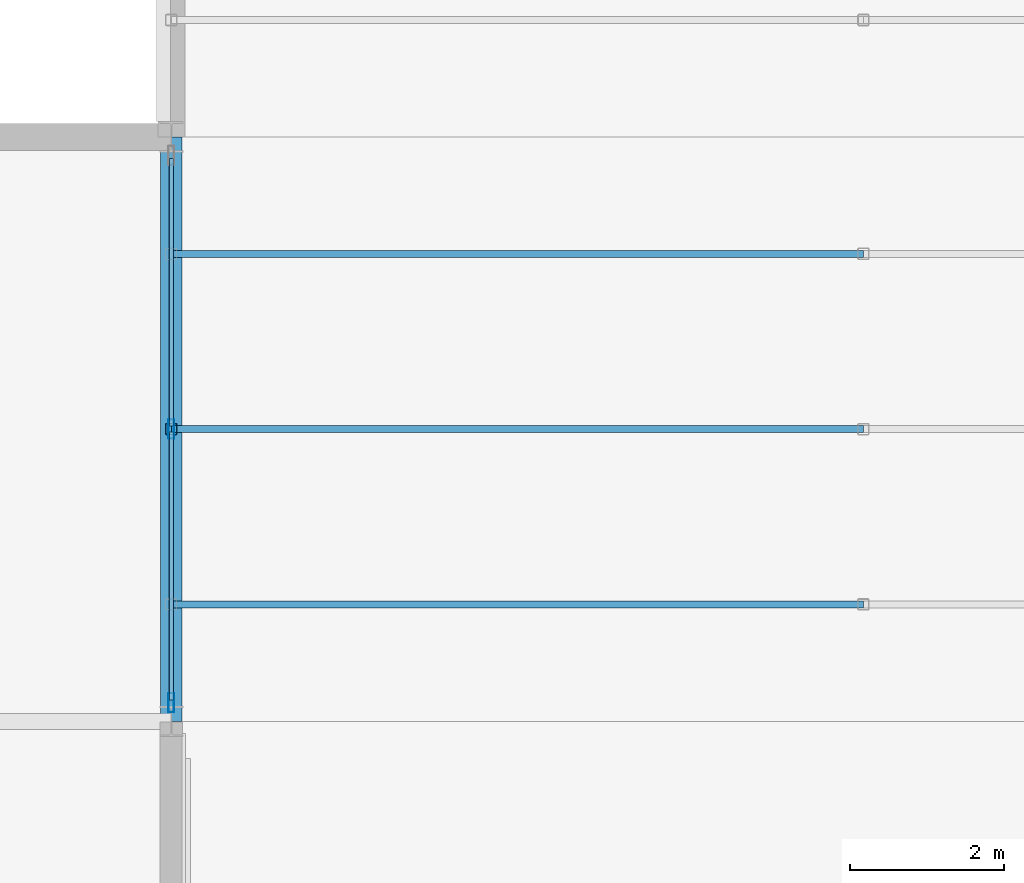
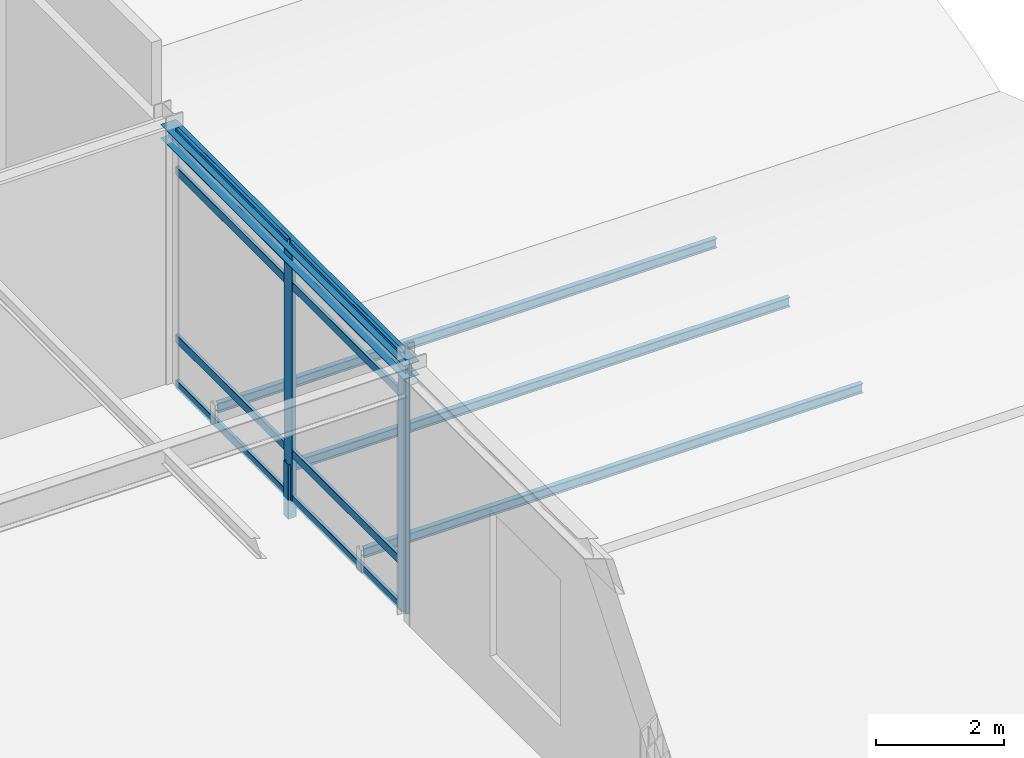
# One storey, part 69 of 113: 14 members, 1 beam, 1 element without a shape of its own.
"""IFC4 building model written with IfcOpenShell, lengths in metres."""

from ifc_helpers import new_model, si_unit, direction, frame, origin, origin_2d, place, context, subcontext, project, spatial, hollow_rectangle, i_section, extrude, material, layer, layer_set, material_profile, profile_set, type_object, element, aggregate, save


model = new_model("IFC4")

# Units and contexts
model_context = context("Model", 3, precision=1e-05, world=origin(), true_north=direction((0.0, 1.0)))
body_context = subcontext(model_context, "Body", "Model", "MODEL_VIEW")
ifc_project = project(units=[si_unit("LENGTHUNIT", "METRE"), si_unit("AREAUNIT", "SQUARE_METRE"), si_unit("VOLUMEUNIT", "CUBIC_METRE"), si_unit("PLANEANGLEUNIT", "RADIAN"), si_unit("MASSUNIT", "GRAM", prefix="KILO")], contexts=[model_context])

# Site, building, storey
site_placement = place(None, origin())
site = spatial("IfcSite", under=ifc_project, at=site_placement, CompositionType="ELEMENT")
building_placement = place(site_placement, origin())
building = spatial("IfcBuilding", under=site, at=building_placement, Name="Shalkamar Park Central Library", CompositionType="ELEMENT")
storey_placement = place(building_placement, frame((0.0, 0.0, 5.39990234375)))
storey = spatial("IfcBuildingStorey", under=building, at=storey_placement, Name="L02", CompositionType="ELEMENT", Elevation=5.39990234375)

# Curtain wall, members
ifc_material_1 = material(Name="Thermally broken aluminium and triple low-e curtain wall", Category="aluminium")
ifc_layer = layer(ifc_material_1, 0.25)
ifc_layer_set = layer_set([ifc_layer], Name="UnitisedCurtainWall_39")
curtain_wall_type = type_object("IfcCurtainWallType", Name="Unitised Curtain Wall 39", PredefinedType="USERDEFINED", material=ifc_layer_set)
curtain_wall_placement = place(storey_placement, origin())
curtain_wall = element("IfcCurtainWall", 1, at=curtain_wall_placement, inside=storey, type_object=curtain_wall_type, Name="Unitised Curtain Wall CW-L02-045", ObjectType="UNITISED CURTAIN WALL", PredefinedType="USERDEFINED")
ifc_material_2 = material(Name="Aluminium 6060-T66", Category="aluminium")
ifc_material_profile_1 = material_profile(ifc_material_2, hollow_rectangle(XDim=0.074951171875, YDim=0.25, WallThickness=0.00390625, InnerFilletRadius=0.00390625, OuterFilletRadius=0.006103515625, at=origin_2d()), Name="ALU 75x250x4")
ifc_profile_set_1 = profile_set([ifc_material_profile_1], Name="Aluminium 6060-T66")
member_type_1 = type_object("IfcMemberType", Name="Curtain Wall Mullion ALU75x250", PredefinedType="MULLION", material=ifc_profile_set_1)
member_1_placement = place(storey_placement, frame((273.0, 316.241455078125, 0.0), z_axis=(0.0, 0.0, 1.0), x_axis=(-1.0, 0.0, 0.0)))
member_1 = element("IfcMember", 2, at=member_1_placement, type_object=member_type_1, Name="CW-39 mullion 1", PredefinedType="MULLION", context=body_context, shape_type="SweptSolid", body=[
    extrude(hollow_rectangle(XDim=0.074951171875, YDim=0.25, WallThickness=0.00390625, InnerFilletRadius=0.00390625, OuterFilletRadius=0.006103515625, at=origin_2d()), origin(), (0.0, 0.0, 1.0), 4.85009765625),
])
member_2_placement = place(storey_placement, frame((273.0, 319.800048828125, 0.0), z_axis=(0.0, 0.0, 1.0), x_axis=(-1.0, 0.0, 0.0)))
member_2 = element("IfcMember", 3, at=member_2_placement, type_object=member_type_1, Name="CW-39 mullion 2", PredefinedType="MULLION", context=body_context, shape_type="SweptSolid", body=[
    extrude(hollow_rectangle(XDim=0.074951171875, YDim=0.25, WallThickness=0.00390625, InnerFilletRadius=0.00390625, OuterFilletRadius=0.006103515625, at=origin_2d()), origin(), (0.0, 0.0, 1.0), 4.85009765625),
])
ifc_material_profile_2 = material_profile(ifc_material_2, hollow_rectangle(XDim=0.06005859375, YDim=0.159912109375, WallThickness=0.00390625, InnerFilletRadius=0.00390625, OuterFilletRadius=0.006103515625, at=origin_2d()), Name="ALU 60x160x4")
ifc_profile_set_2 = profile_set([ifc_material_profile_2], Name="Aluminium 6060-T66")
member_type_2 = type_object("IfcMemberType", Name="Curtain Wall Transom ALU60x160", PredefinedType="USERDEFINED", material=ifc_profile_set_2)
member_3_placement = place(storey_placement, frame((273.0, 316.279052734375, 0.030029296875), z_axis=(0.0, 1.0, 0.0), x_axis=(-1.0, 0.0, 0.0)))
member_3 = element("IfcMember", 4, at=member_3_placement, type_object=member_type_2, Name="CW-39 transom 1.1", ObjectType="TRANSOM", PredefinedType="USERDEFINED", context=body_context, shape_type="SweptSolid", body=[
    extrude(hollow_rectangle(XDim=0.06005859375, YDim=0.159912109375, WallThickness=0.00390625, InnerFilletRadius=0.00390625, OuterFilletRadius=0.006103515625, at=origin_2d()), origin(), (0.0, 0.0, 1.0), 3.4833984375),
])
member_4_placement = place(storey_placement, frame((273.0, 316.279052734375, 0.900146484375), z_axis=(0.0, 1.0, 0.0), x_axis=(-1.0, 0.0, 0.0)))
member_4 = element("IfcMember", 5, at=member_4_placement, type_object=member_type_2, Name="CW-39 transom 1.2", ObjectType="TRANSOM", PredefinedType="USERDEFINED", context=body_context, shape_type="SweptSolid", body=[
    extrude(hollow_rectangle(XDim=0.06005859375, YDim=0.159912109375, WallThickness=0.00390625, InnerFilletRadius=0.00390625, OuterFilletRadius=0.006103515625, at=origin_2d()), origin(), (0.0, 0.0, 1.0), 3.4833984375),
])
member_5_placement = place(storey_placement, frame((273.0, 316.279052734375, 4.10009765625), z_axis=(0.0, 1.0, 0.0), x_axis=(-1.0, 0.0, 0.0)))
member_5 = element("IfcMember", 6, at=member_5_placement, type_object=member_type_2, Name="CW-39 transom 1.3", ObjectType="TRANSOM", PredefinedType="USERDEFINED", context=body_context, shape_type="SweptSolid", body=[
    extrude(hollow_rectangle(XDim=0.06005859375, YDim=0.159912109375, WallThickness=0.00390625, InnerFilletRadius=0.00390625, OuterFilletRadius=0.006103515625, at=origin_2d()), origin(), (0.0, 0.0, 1.0), 3.4833984375),
])
member_6_placement = place(storey_placement, frame((273.0, 316.279052734375, 4.820068359375), z_axis=(0.0, 1.0, 0.0), x_axis=(-1.0, 0.0, 0.0)))
member_6 = element("IfcMember", 7, at=member_6_placement, type_object=member_type_2, Name="CW-39 transom 1.4", ObjectType="TRANSOM", PredefinedType="USERDEFINED", context=body_context, shape_type="SweptSolid", body=[
    extrude(hollow_rectangle(XDim=0.06005859375, YDim=0.159912109375, WallThickness=0.00390625, InnerFilletRadius=0.00390625, OuterFilletRadius=0.006103515625, at=origin_2d()), origin(), (0.0, 0.0, 1.0), 3.4833984375),
])
member_7_placement = place(storey_placement, frame((273.0, 319.83740234375, 0.030029296875), z_axis=(0.0, 1.0, 0.0), x_axis=(-1.0, 0.0, 0.0)))
member_7 = element("IfcMember", 8, at=member_7_placement, type_object=member_type_2, Name="CW-39 transom 2.1", ObjectType="TRANSOM", PredefinedType="USERDEFINED", context=body_context, shape_type="SweptSolid", body=[
    extrude(hollow_rectangle(XDim=0.06005859375, YDim=0.159912109375, WallThickness=0.00390625, InnerFilletRadius=0.00390625, OuterFilletRadius=0.006103515625, at=origin_2d()), origin(), (0.0, 0.0, 1.0), 3.483642578125),
])
member_8_placement = place(storey_placement, frame((273.0, 319.83740234375, 0.900146484375), z_axis=(0.0, 1.0, 0.0), x_axis=(-1.0, 0.0, 0.0)))
member_8 = element("IfcMember", 9, at=member_8_placement, type_object=member_type_2, Name="CW-39 transom 2.2", ObjectType="TRANSOM", PredefinedType="USERDEFINED", context=body_context, shape_type="SweptSolid", body=[
    extrude(hollow_rectangle(XDim=0.06005859375, YDim=0.159912109375, WallThickness=0.00390625, InnerFilletRadius=0.00390625, OuterFilletRadius=0.006103515625, at=origin_2d()), origin(), (0.0, 0.0, 1.0), 3.483642578125),
])
member_9_placement = place(storey_placement, frame((273.0, 319.83740234375, 4.10009765625), z_axis=(0.0, 1.0, 0.0), x_axis=(-1.0, 0.0, 0.0)))
member_9 = element("IfcMember", 10, at=member_9_placement, type_object=member_type_2, Name="CW-39 transom 2.3", ObjectType="TRANSOM", PredefinedType="USERDEFINED", context=body_context, shape_type="SweptSolid", body=[
    extrude(hollow_rectangle(XDim=0.06005859375, YDim=0.159912109375, WallThickness=0.00390625, InnerFilletRadius=0.00390625, OuterFilletRadius=0.006103515625, at=origin_2d()), origin(), (0.0, 0.0, 1.0), 3.483642578125),
])
member_10_placement = place(storey_placement, frame((273.0, 319.83740234375, 4.820068359375), z_axis=(0.0, 1.0, 0.0), x_axis=(-1.0, 0.0, 0.0)))
member_10 = element("IfcMember", 11, at=member_10_placement, type_object=member_type_2, Name="CW-39 transom 2.4", ObjectType="TRANSOM", PredefinedType="USERDEFINED", context=body_context, shape_type="SweptSolid", body=[
    extrude(hollow_rectangle(XDim=0.06005859375, YDim=0.159912109375, WallThickness=0.00390625, InnerFilletRadius=0.00390625, OuterFilletRadius=0.006103515625, at=origin_2d()), origin(), (0.0, 0.0, 1.0), 3.483642578125),
])
aggregate(curtain_wall, [member_1, member_2, member_3, member_4, member_5, member_6, member_7, member_8, member_9, member_10])

# Member
ifc_material_3 = material(Name="Steel S355", Category="steel")
ifc_material_profile_3 = material_profile(ifc_material_3, hollow_rectangle(XDim=0.14990234375, YDim=0.14990234375, WallThickness=0.008056640625, InnerFilletRadius=0.008056640625, OuterFilletRadius=0.011962890625, at=origin_2d()), Name="SHS 150x150x8")
ifc_profile_set_3 = profile_set([ifc_material_profile_3], Name="Steel S355")
member_type_3 = type_object("IfcMemberType", Name="Diagonal Brace SHS150", PredefinedType="BRACE", material=ifc_profile_set_3)
member_11_placement = place(storey_placement, frame((273.0, 319.800048828125, -0.35986328125), z_axis=(0.0, 0.0, 1.0), x_axis=(1.0, 0.0, 0.0)))
element("IfcMember", 12, at=member_11_placement, inside=storey, type_object=member_type_3, Name="Vault Arch Post BV-L01-E8-20.2", PredefinedType="BRACE", context=body_context, shape_type="SweptSolid", body=[
    extrude(hollow_rectangle(XDim=0.14990234375, YDim=0.14990234375, WallThickness=0.008056640625, InnerFilletRadius=0.008056640625, OuterFilletRadius=0.011962890625, at=origin_2d()), origin(), (0.0, 0.0, 1.0), 1.0400390625),
])

# Beam
ifc_material_profile_4 = material_profile(ifc_material_3, i_section(OverallWidth=0.280029296875, OverallDepth=0.27001953125, WebThickness=0.008056640625, FlangeThickness=0.012939453125, FilletRadius=0.02392578125, at=origin_2d()), Name="HEA 280")
ifc_profile_set_4 = profile_set([ifc_material_profile_4], Name="Steel S355")
beam_type = type_object("IfcBeamType", Name="Perimeter Spandrel Beam HEA280", PredefinedType="SPANDREL", material=ifc_profile_set_4)
beam_placement = place(storey_placement, frame((273.0, 316.0, 4.715087890625), z_axis=(0.0, 1.0, 0.0), x_axis=(-1.0, 0.0, 0.0)))
element("IfcBeam", 13, at=beam_placement, inside=storey, type_object=beam_type, Name="Beam 20:L-M (L02)", PredefinedType="SPANDREL", context=body_context, shape_type="SweptSolid", body=[
    extrude(i_section(OverallWidth=0.280029296875, OverallDepth=0.27001953125, WebThickness=0.008056640625, FlangeThickness=0.012939453125, FilletRadius=0.02392578125, at=origin_2d()), origin(), (0.0, 0.0, 1.0), 7.60009765625),
])

# Members
ifc_material_profile_5 = material_profile(ifc_material_3, i_section(OverallWidth=0.091064453125, OverallDepth=0.179931640625, WebThickness=0.00537109375, FlangeThickness=0.008056640625, FilletRadius=0.009033203125, at=origin_2d()), Name="IPE 180")
ifc_profile_set_5 = profile_set([ifc_material_profile_5], Name="Steel S355")
member_type_4 = type_object("IfcMemberType", Name="Roof Purlin IPE180", PredefinedType="PURLIN", material=ifc_profile_set_5)
for number, where, z_axis, x_axis, name in (
    (14, (273.0, 317.52001953125, 0.330810546875), (1.0, 0.0, 0.0), (0.0, 1.0, 0.0), "Barrel Roof Purlin BV-L01-E8-1.20"),
    (15, (273.0, 319.800048828125, 0.590087890625), (1.0, 0.0, 0.0), (0.0, 1.0, 0.0), "Barrel Roof Purlin BV-L01-E8-2.20"),
    (16, (273.0, 322.080078125, 0.330810546875), (1.0, 0.0, 0.0), (0.0, 1.0, 0.0), "Barrel Roof Purlin BV-L01-E8-3.20"),
):
    element("IfcMember", number, at=place(storey_placement, frame(where, z_axis=z_axis, x_axis=x_axis)), inside=storey, type_object=member_type_4, Name=name, PredefinedType="PURLIN", context=body_context, shape_type="SweptSolid", body=[
        extrude(i_section(OverallWidth=0.091064453125, OverallDepth=0.179931640625, WebThickness=0.00537109375, FlangeThickness=0.008056640625, FilletRadius=0.009033203125, at=origin_2d()), origin(), (0.0, 0.0, 1.0), 9.0),
    ])

save(model, "model.ifc")
